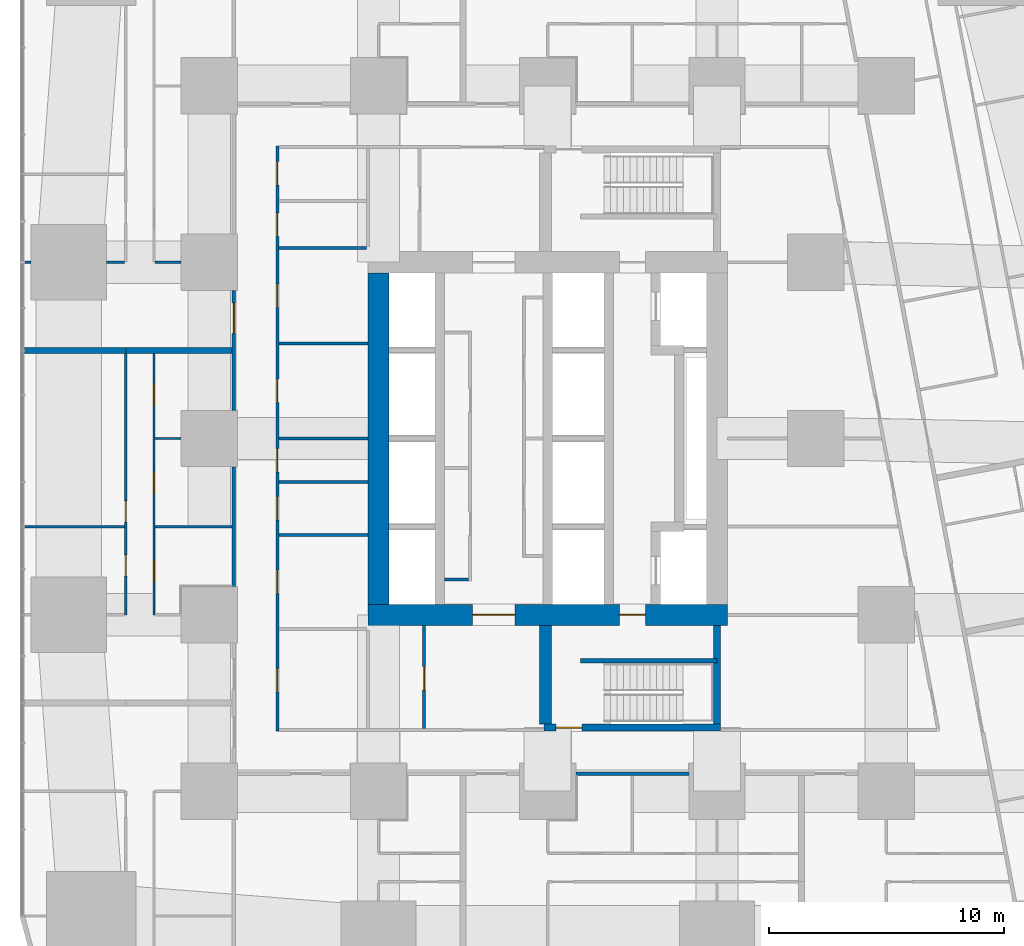
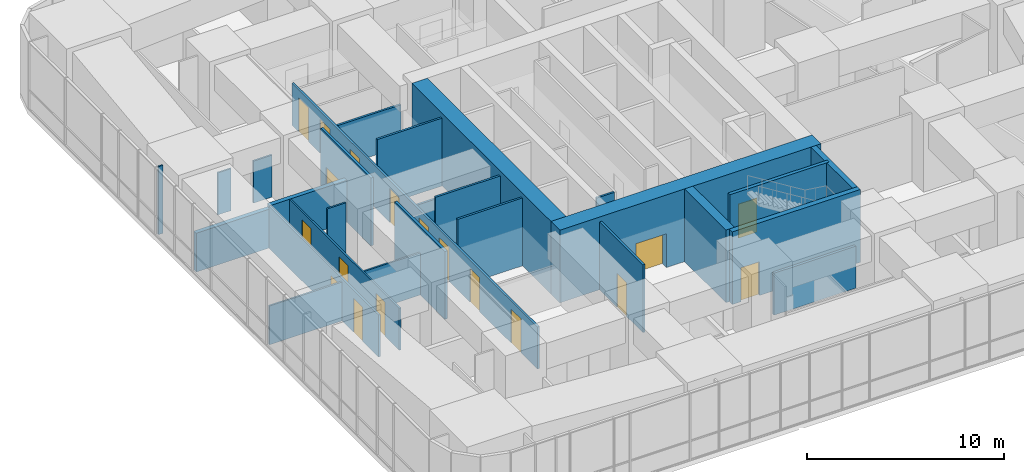
# One storey, part 15 of 22: 27 walls, 18 doors, 18 openings.
"""IFC4 building model written with IfcOpenShell, lengths in metres."""

from ifc_helpers import new_model, si_unit, direction, frame, frame_2d, origin, place, context, subcontext, project, spatial, rectangle, extrude, material, layer, layer_set, type_object, element, fill, save


model = new_model("IFC4")

# Units and contexts
model_context = context("Model", 3, precision=1e-05, world=origin(), true_north=direction((0.0, 1.0)))
body_context = subcontext(model_context, "Body", "Model", "MODEL_VIEW")
ifc_project = project(units=[si_unit("LENGTHUNIT", "METRE"), si_unit("AREAUNIT", "SQUARE_METRE"), si_unit("VOLUMEUNIT", "CUBIC_METRE"), si_unit("PLANEANGLEUNIT", "RADIAN"), si_unit("MASSUNIT", "GRAM", prefix="KILO")], contexts=[model_context])

# Site, building, storey
site_placement = place(None, origin())
site = spatial("IfcSite", under=ifc_project, at=site_placement, CompositionType="ELEMENT")
building_placement = place(site_placement, origin())
building = spatial("IfcBuilding", under=site, at=building_placement, Name="Sheger Commons Tower", CompositionType="ELEMENT")
storey_placement = place(building_placement, frame((0.0, 0.0, 10.10009765625)))
storey = spatial("IfcBuildingStorey", under=building, at=storey_placement, Name="L02", CompositionType="ELEMENT", Elevation=10.10009765625)

# Wall, openings, doors
ifc_material_1 = material(Name="Concrete C50/60", Category="concrete")
ifc_layer_1 = layer(ifc_material_1, 0.89990234375)
ifc_layer_set_1 = layer_set([ifc_layer_1], Name="CORE WALL 900")
wall_type_1 = type_object("IfcWallType", Name="CORE WALL 900", PredefinedType="SHEAR", material=ifc_layer_set_1)
wall_1_placement = place(storey_placement, frame((13.949951171875, 15.0, 0.0), z_axis=(0.0, 0.0, 1.0), x_axis=(1.0, 0.0, 0.0)))
wall_1 = element("IfcWall", 1, at=wall_1_placement, inside=storey, type_object=wall_type_1, Name="Core wall south L02", PredefinedType="SHEAR", context=body_context, shape_type="SweptSolid", body=[
    extrude(rectangle(XDim=15.300048828125, YDim=0.89990234375, at=frame_2d((7.64990234375, 0.0))), origin(), (0.0, 0.0, 1.0), 4.5),
])
opening_1_placement = place(wall_1_placement, frame((4.449951171875, 0.0, 0.0)))
opening_1 = element("IfcOpeningElement", 2, at=opening_1_placement, cuts=wall_1, Name="Opening D6", PredefinedType="OPENING", context=body_context, shape_type="SweptSolid", body=[
    extrude(rectangle(XDim=1.800048828125, YDim=2.10009765625, at=frame_2d((0.89990234375, 1.050048828125))), frame((0.0, 0.4599609375, 0.0), z_axis=(0.0, -1.0, 0.0), x_axis=(1.0, 0.0, 0.0)), (0.0, 0.0, 1.0), 0.919921875),
])
opening_2_placement = place(wall_1_placement, frame((10.699951171875, 0.0, 0.0)))
opening_2 = element("IfcOpeningElement", 3, at=opening_2_placement, cuts=wall_1, Name="Opening D5", PredefinedType="OPENING", context=body_context, shape_type="SweptSolid", body=[
    extrude(rectangle(XDim=1.10009765625, YDim=2.10009765625, at=frame_2d((0.550048828125, 1.050048828125))), frame((0.0, 0.4599609375, 0.0), z_axis=(0.0, -1.0, 0.0), x_axis=(1.0, 0.0, 0.0)), (0.0, 0.0, 1.0), 0.919921875),
])
ifc_material_2 = material(Name="Steel door set, fire rated", Category="steel")
door_type_1 = type_object("IfcDoorType", Name="LOBBY DOUBLE DOOR 1800x2100", OperationType="DOUBLE_DOOR_SINGLE_SWING", PredefinedType="DOOR", material=ifc_material_2)
door_1_placement = place(opening_1_placement, origin())
door_1 = element("IfcDoor", 4, at=door_1_placement, inside=storey, type_object=door_type_1, Name="Lift lobby door", OperationType="DOUBLE_DOOR_SINGLE_SWING", OverallHeight=2.10009765625, OverallWidth=1.800048828125, PredefinedType="DOOR", context=body_context, shape_type="SweptSolid", body=[
    extrude(rectangle(XDim=1.800048828125, YDim=2.10009765625, at=frame_2d((0.89990234375, 1.050048828125))), frame((0.0, 0.02490234375, 0.0), z_axis=(0.0, -1.0, 0.0), x_axis=(1.0, 0.0, 0.0)), (0.0, 0.0, 1.0), 0.050048828125),
])
fill(opening_1, door_1)
ifc_material_3 = material(Name="Steel door set, fire rated", Category="steel")
door_type_2 = type_object("IfcDoorType", Name="STAIR DOOR 1100x2100", OperationType="NOTDEFINED", PredefinedType="DOOR", material=ifc_material_3)
door_2_placement = place(opening_2_placement, origin())
door_2 = element("IfcDoor", 5, at=door_2_placement, inside=storey, type_object=door_type_2, Name="Fire-fighting lobby door", OperationType="SINGLE_SWING_RIGHT", OverallHeight=2.10009765625, OverallWidth=1.10009765625, PredefinedType="DOOR", context=body_context, shape_type="SweptSolid", body=[
    extrude(rectangle(XDim=1.10009765625, YDim=2.10009765625, at=frame_2d((0.550048828125, 1.050048828125))), frame((0.0, 0.02490234375, 0.0), z_axis=(0.0, -1.0, 0.0), x_axis=(1.0, 0.0, 0.0)), (0.0, 0.0, 1.0), 0.050048828125),
])
fill(opening_2, door_2)

# Walls
wall_2_placement = place(storey_placement, frame((14.39990234375, 15.449951171875, 0.0), z_axis=(0.0, 0.0, 1.0), x_axis=(0.0, 1.0, 0.0)))
element("IfcWall", 6, at=wall_2_placement, inside=storey, type_object=wall_type_1, Name="Core wall west L02", PredefinedType="SHEAR", context=body_context, shape_type="SweptSolid", body=[
    extrude(rectangle(XDim=14.10009765625, YDim=0.89990234375, at=frame_2d((7.050048828125, 0.0))), origin(), (0.0, 0.0, 1.0), 4.5),
])
ifc_material_4 = material(Name="Hollow concrete block masonry, skimmed both sides", Category="masonry")
ifc_layer_2 = layer(ifc_material_4, 0.14990234375)
ifc_layer_set_2 = layer_set([ifc_layer_2], Name="CORRIDOR WALL 150")
wall_type_2 = type_object("IfcWallType", Name="CORRIDOR WALL 150", PredefinedType="SOLIDWALL", material=ifc_layer_set_2)
wall_3_placement = place(storey_placement, frame((8.25, 16.200927734375, 0.0), z_axis=(0.0, 0.0, 1.0), x_axis=(0.0, 1.0, 0.0)))
element("IfcWall", 7, at=wall_3_placement, inside=storey, type_object=wall_type_2, Name="Corridor wall L02", PredefinedType="SOLIDWALL", context=body_context, shape_type="SweptSolid", body=[
    extrude(rectangle(XDim=5.09814453125, YDim=0.14990234375, at=frame_2d((2.549072265625, 0.0))), origin(), (0.0, 0.0, 1.0), 4.199951171875),
])

# Wall, opening, door
wall_4_placement = place(storey_placement, frame((8.25, 23.700927734375, 0.0), z_axis=(0.0, 0.0, 1.0), x_axis=(0.0, 1.0, 0.0)))
wall_4 = element("IfcWall", 8, at=wall_4_placement, inside=storey, type_object=wall_type_2, Name="Corridor wall L02", PredefinedType="SOLIDWALL", context=body_context, shape_type="SweptSolid", body=[
    extrude(rectangle(XDim=5.09814453125, YDim=0.14990234375, at=frame_2d((2.549072265625, 0.0))), origin(), (0.0, 0.0, 1.0), 4.199951171875),
])
opening_3_placement = place(wall_4_placement, frame((3.26611328125, 0.0, 0.0)))
opening_3 = element("IfcOpeningElement", 9, at=opening_3_placement, cuts=wall_4, Name="Opening D9", PredefinedType="OPENING", context=body_context, shape_type="SweptSolid", body=[
    extrude(rectangle(XDim=1.300048828125, YDim=2.10009765625, at=frame_2d((0.64990234375, 1.050048828125))), frame((0.0, 0.0849609375, 0.0), z_axis=(0.0, -1.0, 0.0), x_axis=(1.0, 0.0, 0.0)), (0.0, 0.0, 1.0), 0.169921875),
])
ifc_material_5 = material(Name="Steel door set, fire rated", Category="steel")
door_type_3 = type_object("IfcDoorType", Name="CLINIC SUITE DOOR 1300x2100", OperationType="DOUBLE_DOOR_SINGLE_SWING", PredefinedType="DOOR", material=ifc_material_5)
door_3_placement = place(opening_3_placement, origin())
door_3 = element("IfcDoor", 10, at=door_3_placement, inside=storey, type_object=door_type_3, Name="Suite door", OperationType="DOUBLE_DOOR_SINGLE_SWING", OverallHeight=2.10009765625, OverallWidth=1.300048828125, PredefinedType="DOOR", context=body_context, shape_type="SweptSolid", body=[
    extrude(rectangle(XDim=1.300048828125, YDim=2.10009765625, at=frame_2d((0.64990234375, 1.050048828125))), frame((0.0, 0.02490234375, 0.0), z_axis=(0.0, -1.0, 0.0), x_axis=(1.0, 0.0, 0.0)), (0.0, 0.0, 1.0), 0.050048828125),
])
fill(opening_3, door_3)

# Walls
wall_5_placement = place(storey_placement, frame((27.59912109375, 8.25, 0.0), z_axis=(0.0, 0.0, 1.0), x_axis=(-1.0, 0.0, 0.0)))
element("IfcWall", 11, at=wall_5_placement, inside=storey, type_object=wall_type_2, Name="Corridor wall L02", PredefinedType="SOLIDWALL", context=body_context, shape_type="SweptSolid", body=[
    extrude(rectangle(XDim=4.798095703125, YDim=0.14990234375, at=frame_2d((2.39892578125, 0.0))), origin(), (0.0, 0.0, 1.0), 2.599853515625),
])
ifc_material_6 = material(Name="Dense concrete block masonry, plastered both sides (separating wall between flats)", Category="masonry")
ifc_layer_3 = layer(ifc_material_6, 0.25)
ifc_layer_set_3 = layer_set([ifc_layer_3], Name="DEMISING WALL 250")
wall_type_3 = type_object("IfcWallType", Name="DEMISING WALL 250", PredefinedType="SOLIDWALL", material=ifc_layer_set_3)
wall_6_placement = place(storey_placement, frame((-0.64990234375, 26.25, 0.0), z_axis=(0.0, 0.0, 1.0), x_axis=(1.0, 0.0, 0.0)))
element("IfcWall", 12, at=wall_6_placement, inside=storey, type_object=wall_type_3, Name="Demising wall L02", PredefinedType="SOLIDWALL", context=body_context, shape_type="SweptSolid", body=[
    extrude(rectangle(XDim=4.2998046875, YDim=0.25, at=frame_2d((2.14990234375, 0.0))), origin(), (0.0, 0.0, 1.0), 2.39990234375),
])
wall_7_placement = place(storey_placement, frame((3.64990234375, 26.25, 0.0), z_axis=(0.0, 0.0, 1.0), x_axis=(1.0, 0.0, 0.0)))
element("IfcWall", 13, at=wall_7_placement, inside=storey, type_object=wall_type_3, Name="Demising wall L02", PredefinedType="SOLIDWALL", context=body_context, shape_type="SweptSolid", body=[
    extrude(rectangle(XDim=4.525146484375, YDim=0.25, at=frame_2d((2.2626953125, 0.0))), origin(), (0.0, 0.0, 1.0), 2.599853515625),
])

# Wall, openings, doors
ifc_material_7 = material(Name="Gypsum board on steel studs", Category="steel")
ifc_layer_4 = layer(ifc_material_7, 0.10009765625)
ifc_layer_set_4 = layer_set([ifc_layer_4], Name="PARTITION 100")
wall_type_4 = type_object("IfcWallType", Name="PARTITION 100", PredefinedType="PARTITIONING", material=ifc_layer_set_4)
wall_8_placement = place(storey_placement, frame((3.64990234375, 15.0, 0.0), z_axis=(0.0, 0.0, 1.0), x_axis=(0.0, 1.0, 0.0)))
wall_8 = element("IfcWall", 14, at=wall_8_placement, inside=storey, type_object=wall_type_4, Name="Partition L02", PredefinedType="PARTITIONING", context=body_context, shape_type="SweptSolid", body=[
    extrude(rectangle(XDim=11.125, YDim=0.10009765625, at=frame_2d((5.5625, 0.0))), origin(), (0.0, 0.0, 1.0), 2.599853515625),
])
opening_4_placement = place(wall_8_placement, frame((1.64990234375, 0.0, 0.0)))
opening_4 = element("IfcOpeningElement", 15, at=opening_4_placement, cuts=wall_8, Name="Opening D2", PredefinedType="OPENING", context=body_context, shape_type="SweptSolid", body=[
    extrude(rectangle(XDim=0.89990234375, YDim=2.10009765625, at=frame_2d((0.449951171875, 1.050048828125))), frame((0.0, 0.06005859375, 0.0), z_axis=(0.0, -1.0, 0.0), x_axis=(1.0, 0.0, 0.0)), (0.0, 0.0, 1.0), 0.1201171875),
])
opening_5_placement = place(wall_8_placement, frame((3.949951171875, 0.0, 0.0)))
opening_5 = element("IfcOpeningElement", 16, at=opening_5_placement, cuts=wall_8, Name="Opening D2", PredefinedType="OPENING", context=body_context, shape_type="SweptSolid", body=[
    extrude(rectangle(XDim=0.89990234375, YDim=2.10009765625, at=frame_2d((0.449951171875, 1.050048828125))), frame((0.0, 0.06005859375, 0.0), z_axis=(0.0, -1.0, 0.0), x_axis=(1.0, 0.0, 0.0)), (0.0, 0.0, 1.0), 0.1201171875),
])
ifc_material_8 = material(Name="Timber door set", Category="wood")
door_type_4 = type_object("IfcDoorType", Name="INTERNAL DOOR 900x2100", OperationType="NOTDEFINED", PredefinedType="DOOR", material=ifc_material_8)
door_4_placement = place(opening_4_placement, origin())
door_4 = element("IfcDoor", 17, at=door_4_placement, inside=storey, type_object=door_type_4, Name="Dental surgery door", OperationType="SINGLE_SWING_RIGHT", OverallHeight=2.10009765625, OverallWidth=0.89990234375, PredefinedType="DOOR", context=body_context, shape_type="SweptSolid", body=[
    extrude(rectangle(XDim=0.89990234375, YDim=2.10009765625, at=frame_2d((0.449951171875, 1.050048828125))), frame((0.0, 0.02490234375, 0.0), z_axis=(0.0, -1.0, 0.0), x_axis=(1.0, 0.0, 0.0)), (0.0, 0.0, 1.0), 0.050048828125),
])
fill(opening_4, door_4)
door_5_placement = place(opening_5_placement, origin())
door_5 = element("IfcDoor", 18, at=door_5_placement, inside=storey, type_object=door_type_4, Name="Laboratory door", OperationType="SINGLE_SWING_LEFT", OverallHeight=2.10009765625, OverallWidth=0.89990234375, PredefinedType="DOOR", context=body_context, shape_type="SweptSolid", body=[
    extrude(rectangle(XDim=0.89990234375, YDim=2.10009765625, at=frame_2d((0.449951171875, 1.050048828125))), frame((0.0, 0.02490234375, 0.0), z_axis=(0.0, -1.0, 0.0), x_axis=(1.0, 0.0, 0.0)), (0.0, 0.0, 1.0), 0.050048828125),
])
fill(opening_5, door_5)

wall_9_placement = place(storey_placement, frame((4.85009765625, 15.0, 0.0), z_axis=(0.0, 0.0, 1.0), x_axis=(0.0, 1.0, 0.0)))
wall_9 = element("IfcWall", 19, at=wall_9_placement, inside=storey, type_object=wall_type_4, Name="Partition L02", PredefinedType="PARTITIONING", context=body_context, shape_type="SweptSolid", body=[
    extrude(rectangle(XDim=11.125, YDim=0.10009765625, at=frame_2d((5.5625, 0.0))), origin(), (0.0, 0.0, 1.0), 2.599853515625),
])
opening_6_placement = place(wall_9_placement, frame((1.425048828125, 0.0, 0.0)))
opening_6 = element("IfcOpeningElement", 20, at=opening_6_placement, cuts=wall_9, Name="Opening D2", PredefinedType="OPENING", context=body_context, shape_type="SweptSolid", body=[
    extrude(rectangle(XDim=0.89990234375, YDim=2.10009765625, at=frame_2d((0.449951171875, 1.050048828125))), frame((0.0, 0.06005859375, 0.0), z_axis=(0.0, -1.0, 0.0), x_axis=(1.0, 0.0, 0.0)), (0.0, 0.0, 1.0), 0.1201171875),
])
opening_7_placement = place(wall_9_placement, frame((5.175048828125, 0.0, 0.0)))
opening_7 = element("IfcOpeningElement", 21, at=opening_7_placement, cuts=wall_9, Name="Opening D2", PredefinedType="OPENING", context=body_context, shape_type="SweptSolid", body=[
    extrude(rectangle(XDim=0.89990234375, YDim=2.10009765625, at=frame_2d((0.449951171875, 1.050048828125))), frame((0.0, 0.06005859375, 0.0), z_axis=(0.0, -1.0, 0.0), x_axis=(1.0, 0.0, 0.0)), (0.0, 0.0, 1.0), 0.1201171875),
])
opening_8_placement = place(wall_9_placement, frame((8.925048828125, 0.0, 0.0)))
opening_8 = element("IfcOpeningElement", 22, at=opening_8_placement, cuts=wall_9, Name="Opening D2", PredefinedType="OPENING", context=body_context, shape_type="SweptSolid", body=[
    extrude(rectangle(XDim=0.89990234375, YDim=2.10009765625, at=frame_2d((0.449951171875, 1.050048828125))), frame((0.0, 0.06005859375, 0.0), z_axis=(0.0, -1.0, 0.0), x_axis=(1.0, 0.0, 0.0)), (0.0, 0.0, 1.0), 0.1201171875),
])
door_6_placement = place(opening_6_placement, origin())
door_6 = element("IfcDoor", 23, at=door_6_placement, inside=storey, type_object=door_type_4, Name="Patient WC door", OperationType="SINGLE_SWING_RIGHT", OverallHeight=2.10009765625, OverallWidth=0.89990234375, PredefinedType="DOOR", context=body_context, shape_type="SweptSolid", body=[
    extrude(rectangle(XDim=0.89990234375, YDim=2.10009765625, at=frame_2d((0.449951171875, 1.050048828125))), frame((0.0, 0.02490234375, 0.0), z_axis=(0.0, -1.0, 0.0), x_axis=(1.0, 0.0, 0.0)), (0.0, 0.0, 1.0), 0.050048828125),
])
fill(opening_6, door_6)
door_7_placement = place(opening_7_placement, origin())
door_7 = element("IfcDoor", 24, at=door_7_placement, inside=storey, type_object=door_type_4, Name="Treatment room door", OperationType="SINGLE_SWING_RIGHT", OverallHeight=2.10009765625, OverallWidth=0.89990234375, PredefinedType="DOOR", context=body_context, shape_type="SweptSolid", body=[
    extrude(rectangle(XDim=0.89990234375, YDim=2.10009765625, at=frame_2d((0.449951171875, 1.050048828125))), frame((0.0, 0.02490234375, 0.0), z_axis=(0.0, -1.0, 0.0), x_axis=(1.0, 0.0, 0.0)), (0.0, 0.0, 1.0), 0.050048828125),
])
fill(opening_7, door_7)
door_8_placement = place(opening_8_placement, origin())
door_8 = element("IfcDoor", 25, at=door_8_placement, inside=storey, type_object=door_type_4, Name="Treatment room door", OperationType="SINGLE_SWING_LEFT", OverallHeight=2.10009765625, OverallWidth=0.89990234375, PredefinedType="DOOR", context=body_context, shape_type="SweptSolid", body=[
    extrude(rectangle(XDim=0.89990234375, YDim=2.10009765625, at=frame_2d((0.449951171875, 1.050048828125))), frame((0.0, 0.02490234375, 0.0), z_axis=(0.0, -1.0, 0.0), x_axis=(1.0, 0.0, 0.0)), (0.0, 0.0, 1.0), 0.050048828125),
])
fill(opening_8, door_8)

# Walls
wall_10_placement = place(storey_placement, frame((-0.64990234375, 18.75, 0.0), z_axis=(0.0, 0.0, 1.0), x_axis=(1.0, 0.0, 0.0)))
element("IfcWall", 26, at=wall_10_placement, inside=storey, type_object=wall_type_4, Name="Partition L02", PredefinedType="PARTITIONING", context=body_context, shape_type="SweptSolid", body=[
    extrude(rectangle(XDim=4.25, YDim=0.10009765625, at=frame_2d((2.125, 0.0))), origin(), (0.0, 0.0, 1.0), 2.39990234375),
])
wall_11_placement = place(storey_placement, frame((4.89990234375, 18.75, 0.0), z_axis=(0.0, 0.0, 1.0), x_axis=(1.0, 0.0, 0.0)))
element("IfcWall", 27, at=wall_11_placement, inside=storey, type_object=wall_type_4, Name="Partition L02", PredefinedType="PARTITIONING", context=body_context, shape_type="SweptSolid", body=[
    extrude(rectangle(XDim=3.275146484375, YDim=0.10009765625, at=frame_2d((1.6376953125, 0.0))), origin(), (0.0, 0.0, 1.0), 2.599853515625),
])
wall_12_placement = place(storey_placement, frame((4.89990234375, 22.5, 0.0), z_axis=(0.0, 0.0, 1.0), x_axis=(1.0, 0.0, 0.0)))
element("IfcWall", 28, at=wall_12_placement, inside=storey, type_object=wall_type_4, Name="Partition L02", PredefinedType="PARTITIONING", context=body_context, shape_type="SweptSolid", body=[
    extrude(rectangle(XDim=1.09912109375, YDim=0.10009765625, at=frame_2d((0.549560546875, 0.0))), origin(), (0.0, 0.0, 1.0), 4.199951171875),
])
wall_13_placement = place(storey_placement, frame((-0.64990234375, 30.0, 0.0), z_axis=(0.0, 0.0, 1.0), x_axis=(1.0, 0.0, 0.0)))
element("IfcWall", 29, at=wall_13_placement, inside=storey, type_object=wall_type_4, Name="Partition L02", PredefinedType="PARTITIONING", context=body_context, shape_type="SweptSolid", body=[
    extrude(rectangle(XDim=0.27392578125, YDim=0.10009765625, at=frame_2d((0.136962890625, 0.0))), origin(), (0.0, 0.0, 1.0), 4.199951171875),
])
wall_14_placement = place(storey_placement, frame((2.825927734375, 30.0, 0.0), z_axis=(0.0, 0.0, 1.0), x_axis=(1.0, 0.0, 0.0)))
element("IfcWall", 30, at=wall_14_placement, inside=storey, type_object=wall_type_4, Name="Partition L02", PredefinedType="PARTITIONING", context=body_context, shape_type="SweptSolid", body=[
    extrude(rectangle(XDim=0.774169921875, YDim=0.10009765625, at=frame_2d((0.38720703125, 0.0))), origin(), (0.0, 0.0, 1.0), 2.599853515625),
])
wall_15_placement = place(storey_placement, frame((4.89990234375, 30.0, 0.0), z_axis=(0.0, 0.0, 1.0), x_axis=(1.0, 0.0, 0.0)))
element("IfcWall", 31, at=wall_15_placement, inside=storey, type_object=wall_type_4, Name="Partition L02", PredefinedType="PARTITIONING", context=body_context, shape_type="SweptSolid", body=[
    extrude(rectangle(XDim=1.09912109375, YDim=0.10009765625, at=frame_2d((0.549560546875, 0.0))), origin(), (0.0, 0.0, 1.0), 2.599853515625),
])

# Wall, openings, doors
ifc_material_9 = material(Name="Gypsum board on steel studs, two layers each side, fire rated", Category="steel")
ifc_layer_5 = layer(ifc_material_9, 0.125)
ifc_layer_set_5 = layer_set([ifc_layer_5], Name="SERVICE WALL 125")
wall_type_5 = type_object("IfcWallType", Name="SERVICE WALL 125", PredefinedType="PARTITIONING", material=ifc_layer_set_5)
wall_16_placement = place(storey_placement, frame((10.10009765625, 10.050048828125, 0.0), z_axis=(0.0, 0.0, 1.0), x_axis=(0.0, 1.0, 0.0)))
wall_16 = element("IfcWall", 32, at=wall_16_placement, inside=storey, type_object=wall_type_5, Name="Service room wall L02", PredefinedType="PARTITIONING", context=body_context, shape_type="SweptSolid", body=[
    extrude(rectangle(XDim=24.89990234375, YDim=0.125, at=frame_2d((12.449951171875, 0.0))), origin(), (0.0, 0.0, 1.0), 2.599853515625),
])
opening_9_placement = place(wall_16_placement, frame((1.675048828125, 0.0, 0.0)))
opening_9 = element("IfcOpeningElement", 33, at=opening_9_placement, cuts=wall_16, Name="Opening D4", PredefinedType="OPENING", context=body_context, shape_type="SweptSolid", body=[
    extrude(rectangle(XDim=1.0, YDim=2.10009765625, at=frame_2d((0.5, 1.050048828125))), frame((0.0, 0.072509765625, 0.0), z_axis=(0.0, -1.0, 0.0), x_axis=(1.0, 0.0, 0.0)), (0.0, 0.0, 1.0), 0.14501953125),
])
opening_10_placement = place(wall_16_placement, frame((5.85009765625, 0.0, 0.0)))
opening_10 = element("IfcOpeningElement", 34, at=opening_10_placement, cuts=wall_16, Name="Opening D4", PredefinedType="OPENING", context=body_context, shape_type="SweptSolid", body=[
    extrude(rectangle(XDim=1.0, YDim=2.10009765625, at=frame_2d((0.5, 1.050048828125))), frame((0.0, 0.072509765625, 0.0), z_axis=(0.0, -1.0, 0.0), x_axis=(1.0, 0.0, 0.0)), (0.0, 0.0, 1.0), 0.14501953125),
])
opening_11_placement = place(wall_16_placement, frame((8.97509765625, 0.0, 0.0)))
opening_11 = element("IfcOpeningElement", 35, at=opening_11_placement, cuts=wall_16, Name="Opening D4", PredefinedType="OPENING", context=body_context, shape_type="SweptSolid", body=[
    extrude(rectangle(XDim=1.0, YDim=2.10009765625, at=frame_2d((0.5, 1.050048828125))), frame((0.0, 0.072509765625, 0.0), z_axis=(0.0, -1.0, 0.0), x_axis=(1.0, 0.0, 0.0)), (0.0, 0.0, 1.0), 0.14501953125),
])
opening_12_placement = place(wall_16_placement, frame((11.02490234375, 0.0, 0.0)))
opening_12 = element("IfcOpeningElement", 36, at=opening_12_placement, cuts=wall_16, Name="Opening D4", PredefinedType="OPENING", context=body_context, shape_type="SweptSolid", body=[
    extrude(rectangle(XDim=1.0, YDim=2.10009765625, at=frame_2d((0.5, 1.050048828125))), frame((0.0, 0.072509765625, 0.0), z_axis=(0.0, -1.0, 0.0), x_axis=(1.0, 0.0, 0.0)), (0.0, 0.0, 1.0), 0.14501953125),
])
opening_13_placement = place(wall_16_placement, frame((13.97509765625, 0.0, 0.0)))
opening_13 = element("IfcOpeningElement", 37, at=opening_13_placement, cuts=wall_16, Name="Opening D4", PredefinedType="OPENING", context=body_context, shape_type="SweptSolid", body=[
    extrude(rectangle(XDim=1.0, YDim=2.10009765625, at=frame_2d((0.5, 1.050048828125))), frame((0.0, 0.072509765625, 0.0), z_axis=(0.0, -1.0, 0.0), x_axis=(1.0, 0.0, 0.0)), (0.0, 0.0, 1.0), 0.14501953125),
])
opening_14_placement = place(wall_16_placement, frame((18.02490234375, 0.0, 0.0)))
opening_14 = element("IfcOpeningElement", 38, at=opening_14_placement, cuts=wall_16, Name="Opening D4", PredefinedType="OPENING", context=body_context, shape_type="SweptSolid", body=[
    extrude(rectangle(XDim=1.0, YDim=2.10009765625, at=frame_2d((0.5, 1.050048828125))), frame((0.0, 0.072509765625, 0.0), z_axis=(0.0, -1.0, 0.0), x_axis=(1.0, 0.0, 0.0)), (0.0, 0.0, 1.0), 0.14501953125),
])
opening_15_placement = place(wall_16_placement, frame((21.050048828125, 0.0, 0.0)))
opening_15 = element("IfcOpeningElement", 39, at=opening_15_placement, cuts=wall_16, Name="Opening D4", PredefinedType="OPENING", context=body_context, shape_type="SweptSolid", body=[
    extrude(rectangle(XDim=1.0, YDim=2.10009765625, at=frame_2d((0.5, 1.050048828125))), frame((0.0, 0.072509765625, 0.0), z_axis=(0.0, -1.0, 0.0), x_axis=(1.0, 0.0, 0.0)), (0.0, 0.0, 1.0), 0.14501953125),
])
opening_16_placement = place(wall_16_placement, frame((23.22509765625, 0.0, 0.0)))
opening_16 = element("IfcOpeningElement", 40, at=opening_16_placement, cuts=wall_16, Name="Opening D4", PredefinedType="OPENING", context=body_context, shape_type="SweptSolid", body=[
    extrude(rectangle(XDim=1.0, YDim=2.10009765625, at=frame_2d((0.5, 1.050048828125))), frame((0.0, 0.072509765625, 0.0), z_axis=(0.0, -1.0, 0.0), x_axis=(1.0, 0.0, 0.0)), (0.0, 0.0, 1.0), 0.14501953125),
])
ifc_material_10 = material(Name="Steel door set, fire rated", Category="steel")
door_type_5 = type_object("IfcDoorType", Name="SERVICE DOOR 1000x2100", OperationType="NOTDEFINED", PredefinedType="DOOR", material=ifc_material_10)
door_9_placement = place(opening_9_placement, origin())
door_9 = element("IfcDoor", 41, at=door_9_placement, inside=storey, type_object=door_type_5, Name="Female WC door", OperationType="SINGLE_SWING_RIGHT", OverallHeight=2.10009765625, OverallWidth=1.0, PredefinedType="DOOR", context=body_context, shape_type="SweptSolid", body=[
    extrude(rectangle(XDim=1.0, YDim=2.10009765625, at=frame_2d((0.5, 1.050048828125))), frame((0.0, 0.02490234375, 0.0), z_axis=(0.0, -1.0, 0.0), x_axis=(1.0, 0.0, 0.0)), (0.0, 0.0, 1.0), 0.050048828125),
])
fill(opening_9, door_9)
door_10_placement = place(opening_10_placement, origin())
door_10 = element("IfcDoor", 42, at=door_10_placement, inside=storey, type_object=door_type_5, Name="Male WC door", OperationType="SINGLE_SWING_RIGHT", OverallHeight=2.10009765625, OverallWidth=1.0, PredefinedType="DOOR", context=body_context, shape_type="SweptSolid", body=[
    extrude(rectangle(XDim=1.0, YDim=2.10009765625, at=frame_2d((0.5, 1.050048828125))), frame((0.0, 0.02490234375, 0.0), z_axis=(0.0, -1.0, 0.0), x_axis=(1.0, 0.0, 0.0)), (0.0, 0.0, 1.0), 0.050048828125),
])
fill(opening_10, door_10)
door_11_placement = place(opening_11_placement, origin())
door_11 = element("IfcDoor", 43, at=door_11_placement, inside=storey, type_object=door_type_5, Name="Accessible WC door", OperationType="SINGLE_SWING_RIGHT", OverallHeight=2.10009765625, OverallWidth=1.0, PredefinedType="DOOR", context=body_context, shape_type="SweptSolid", body=[
    extrude(rectangle(XDim=1.0, YDim=2.10009765625, at=frame_2d((0.5, 1.050048828125))), frame((0.0, 0.02490234375, 0.0), z_axis=(0.0, -1.0, 0.0), x_axis=(1.0, 0.0, 0.0)), (0.0, 0.0, 1.0), 0.050048828125),
])
fill(opening_11, door_11)
door_12_placement = place(opening_12_placement, origin())
door_12 = element("IfcDoor", 44, at=door_12_placement, inside=storey, type_object=door_type_5, Name="Baby change room door", OperationType="SINGLE_SWING_RIGHT", OverallHeight=2.10009765625, OverallWidth=1.0, PredefinedType="DOOR", context=body_context, shape_type="SweptSolid", body=[
    extrude(rectangle(XDim=1.0, YDim=2.10009765625, at=frame_2d((0.5, 1.050048828125))), frame((0.0, 0.02490234375, 0.0), z_axis=(0.0, -1.0, 0.0), x_axis=(1.0, 0.0, 0.0)), (0.0, 0.0, 1.0), 0.050048828125),
])
fill(opening_12, door_12)
door_13_placement = place(opening_13_placement, origin())
door_13 = element("IfcDoor", 45, at=door_13_placement, inside=storey, type_object=door_type_5, Name="Staff changing room door", OperationType="SINGLE_SWING_RIGHT", OverallHeight=2.10009765625, OverallWidth=1.0, PredefinedType="DOOR", context=body_context, shape_type="SweptSolid", body=[
    extrude(rectangle(XDim=1.0, YDim=2.10009765625, at=frame_2d((0.5, 1.050048828125))), frame((0.0, 0.02490234375, 0.0), z_axis=(0.0, -1.0, 0.0), x_axis=(1.0, 0.0, 0.0)), (0.0, 0.0, 1.0), 0.050048828125),
])
fill(opening_13, door_13)
door_14_placement = place(opening_14_placement, origin())
door_14 = element("IfcDoor", 46, at=door_14_placement, inside=storey, type_object=door_type_5, Name="Staff WC door", OperationType="SINGLE_SWING_LEFT", OverallHeight=2.10009765625, OverallWidth=1.0, PredefinedType="DOOR", context=body_context, shape_type="SweptSolid", body=[
    extrude(rectangle(XDim=1.0, YDim=2.10009765625, at=frame_2d((0.5, 1.050048828125))), frame((0.0, 0.02490234375, 0.0), z_axis=(0.0, -1.0, 0.0), x_axis=(1.0, 0.0, 0.0)), (0.0, 0.0, 1.0), 0.050048828125),
])
fill(opening_14, door_14)
door_15_placement = place(opening_15_placement, origin())
door_15 = element("IfcDoor", 47, at=door_15_placement, inside=storey, type_object=door_type_5, Name="Cleaner's store door", OperationType="SINGLE_SWING_RIGHT", OverallHeight=2.10009765625, OverallWidth=1.0, PredefinedType="DOOR", context=body_context, shape_type="SweptSolid", body=[
    extrude(rectangle(XDim=1.0, YDim=2.10009765625, at=frame_2d((0.5, 1.050048828125))), frame((0.0, 0.02490234375, 0.0), z_axis=(0.0, -1.0, 0.0), x_axis=(1.0, 0.0, 0.0)), (0.0, 0.0, 1.0), 0.050048828125),
])
fill(opening_15, door_15)
door_16_placement = place(opening_16_placement, origin())
door_16 = element("IfcDoor", 48, at=door_16_placement, inside=storey, type_object=door_type_5, Name="Clinical waste store door", OperationType="SINGLE_SWING_LEFT", OverallHeight=2.10009765625, OverallWidth=1.0, PredefinedType="DOOR", context=body_context, shape_type="SweptSolid", body=[
    extrude(rectangle(XDim=1.0, YDim=2.10009765625, at=frame_2d((0.5, 1.050048828125))), frame((0.0, 0.02490234375, 0.0), z_axis=(0.0, -1.0, 0.0), x_axis=(1.0, 0.0, 0.0)), (0.0, 0.0, 1.0), 0.050048828125),
])
fill(opening_16, door_16)

# Walls
wall_17_placement = place(storey_placement, frame((10.1630859375, 22.5, 0.0), z_axis=(0.0, 0.0, 1.0), x_axis=(1.0, 0.0, 0.0)))
element("IfcWall", 49, at=wall_17_placement, inside=storey, type_object=wall_type_5, Name="Service room wall L02", PredefinedType="PARTITIONING", context=body_context, shape_type="SweptSolid", body=[
    extrude(rectangle(XDim=3.786865234375, YDim=0.125, at=frame_2d((1.8935546875, 0.0))), origin(), (0.0, 0.0, 1.0), 2.599853515625),
])
wall_18_placement = place(storey_placement, frame((10.1630859375, 30.60009765625, 0.0), z_axis=(0.0, 0.0, 1.0), x_axis=(1.0, 0.0, 0.0)))
element("IfcWall", 50, at=wall_18_placement, inside=storey, type_object=wall_type_5, Name="Service room wall L02", PredefinedType="PARTITIONING", context=body_context, shape_type="SweptSolid", body=[
    extrude(rectangle(XDim=3.724853515625, YDim=0.125, at=frame_2d((1.8623046875, 0.0))), origin(), (0.0, 0.0, 1.0), 2.599853515625),
])

# Wall, opening, door
wall_19_placement = place(storey_placement, frame((16.340087890625, 10.1630859375, 0.0), z_axis=(0.0, 0.0, 1.0), x_axis=(0.0, 1.0, 0.0)))
wall_19 = element("IfcWall", 51, at=wall_19_placement, inside=storey, type_object=wall_type_5, Name="Service room wall L02", PredefinedType="PARTITIONING", context=body_context, shape_type="SweptSolid", body=[
    extrude(rectangle(XDim=4.386962890625, YDim=0.125, at=frame_2d((2.193359375, 0.0))), origin(), (0.0, 0.0, 1.0), 4.199951171875),
])
opening_17_placement = place(wall_19_placement, frame((1.636962890625, 0.0, 0.0)))
opening_17 = element("IfcOpeningElement", 52, at=opening_17_placement, cuts=wall_19, Name="Opening D4", PredefinedType="OPENING", context=body_context, shape_type="SweptSolid", body=[
    extrude(rectangle(XDim=1.0, YDim=2.10009765625, at=frame_2d((0.5, 1.050048828125))), frame((0.0, 0.072509765625, 0.0), z_axis=(0.0, -1.0, 0.0), x_axis=(1.0, 0.0, 0.0)), (0.0, 0.0, 1.0), 0.14501953125),
])
door_17_placement = place(opening_17_placement, origin())
door_17 = element("IfcDoor", 53, at=door_17_placement, inside=storey, type_object=door_type_5, Name="Electrical room door", OperationType="SINGLE_SWING_LEFT", OverallHeight=2.10009765625, OverallWidth=1.0, PredefinedType="DOOR", context=body_context, shape_type="SweptSolid", body=[
    extrude(rectangle(XDim=1.0, YDim=2.10009765625, at=frame_2d((0.5, 1.050048828125))), frame((0.0, 0.02490234375, 0.0), z_axis=(0.0, -1.0, 0.0), x_axis=(1.0, 0.0, 0.0)), (0.0, 0.0, 1.0), 0.050048828125),
])
fill(opening_17, door_17)

# Walls
for number, where, z_axis, x_axis, name in (
    (54, (10.1630859375, 18.39990234375, 0.0), (0.0, 0.0, 1.0), (1.0, 0.0, 0.0), "Service room wall L02"),
    (55, (10.1630859375, 20.64990234375, 0.0), (0.0, 0.0, 1.0), (1.0, 0.0, 0.0), "Service room wall L02"),
    (56, (10.1630859375, 26.550048828125, 0.0), (0.0, 0.0, 1.0), (1.0, 0.0, 0.0), "Service room wall L02"),
):
    element("IfcWall", number, at=place(storey_placement, frame(where, z_axis=z_axis, x_axis=x_axis)), inside=storey, type_object=wall_type_5, Name=name, PredefinedType="PARTITIONING", context=body_context, shape_type="SweptSolid", body=[
        extrude(rectangle(XDim=3.786865234375, YDim=0.125, at=frame_2d((1.8935546875, 0.0))), origin(), (0.0, 0.0, 1.0), 4.199951171875),
    ])
wall_20_placement = place(storey_placement, frame((17.199951171875, 16.5, 0.0), z_axis=(0.0, 0.0, 1.0), x_axis=(1.0, 0.0, 0.0)))
element("IfcWall", 57, at=wall_20_placement, inside=storey, type_object=wall_type_5, Name="Service room wall L02", PredefinedType="PARTITIONING", context=body_context, shape_type="SweptSolid", body=[
    extrude(rectangle(XDim=1.0380859375, YDim=0.125, at=frame_2d((0.51904296875, 0.0))), origin(), (0.0, 0.0, 1.0), 4.199951171875),
])

# Wall, opening, door
ifc_material_11 = material(Name="Concrete C50/60", Category="concrete")
ifc_layer_6 = layer(ifc_material_11, 0.300048828125)
ifc_layer_set_6 = layer_set([ifc_layer_6], Name="STAIR CORE WALL 300")
wall_type_6 = type_object("IfcWallType", Name="STAIR CORE WALL 300", PredefinedType="SHEAR", material=ifc_layer_set_6)
wall_21_placement = place(storey_placement, frame((21.449951171875, 10.199951171875, 0.0), z_axis=(0.0, 0.0, 1.0), x_axis=(1.0, 0.0, 0.0)))
wall_21 = element("IfcWall", 58, at=wall_21_placement, inside=storey, type_object=wall_type_6, Name="STW-L02-S1S", PredefinedType="SHEAR", context=body_context, shape_type="SweptSolid", body=[
    extrude(rectangle(XDim=7.5, YDim=0.300048828125, at=frame_2d((3.75, 0.0))), origin(), (0.0, 0.0, 1.0), 4.5),
])
opening_18_placement = place(wall_21_placement, frame((0.5, 0.0, 0.0)))
opening_18 = element("IfcOpeningElement", 59, at=opening_18_placement, cuts=wall_21, Name="Opening D5", PredefinedType="OPENING", context=body_context, shape_type="SweptSolid", body=[
    extrude(rectangle(XDim=1.10009765625, YDim=2.10009765625, at=frame_2d((0.550048828125, 1.050048828125))), frame((0.0, 0.159912109375, 0.0), z_axis=(0.0, -1.0, 0.0), x_axis=(1.0, 0.0, 0.0)), (0.0, 0.0, 1.0), 0.320068359375),
])
door_18_placement = place(opening_18_placement, origin())
door_18 = element("IfcDoor", 60, at=door_18_placement, inside=storey, type_object=door_type_2, Name="Stair S1 door", OperationType="SINGLE_SWING_LEFT", OverallHeight=2.10009765625, OverallWidth=1.10009765625, PredefinedType="DOOR", context=body_context, shape_type="SweptSolid", body=[
    extrude(rectangle(XDim=1.10009765625, YDim=2.10009765625, at=frame_2d((0.550048828125, 1.050048828125))), frame((0.0, 0.02490234375, 0.0), z_axis=(0.0, -1.0, 0.0), x_axis=(1.0, 0.0, 0.0)), (0.0, 0.0, 1.0), 0.050048828125),
])
fill(opening_18, door_18)

# Walls
wall_22_placement = place(storey_placement, frame((28.800048828125, 10.35009765625, 0.0), z_axis=(0.0, 0.0, 1.0), x_axis=(0.0, 1.0, 0.0)))
element("IfcWall", 61, at=wall_22_placement, inside=storey, type_object=wall_type_6, Name="STW-L02-S1E", PredefinedType="SHEAR", context=body_context, shape_type="SweptSolid", body=[
    extrude(rectangle(XDim=4.199951171875, YDim=0.300048828125, at=frame_2d((2.10009765625, 0.0))), origin(), (0.0, 0.0, 1.0), 4.5),
])
ifc_material_12 = material(Name="Concrete C50/60", Category="concrete")
ifc_layer_7 = layer(ifc_material_12, 0.5)
ifc_layer_set_7 = layer_set([ifc_layer_7], Name="STAIR CORE WALL 500")
wall_type_7 = type_object("IfcWallType", Name="STAIR CORE WALL 500", PredefinedType="SHEAR", material=ifc_layer_set_7)
wall_23_placement = place(storey_placement, frame((21.5, 10.35009765625, 0.0), z_axis=(0.0, 0.0, 1.0), x_axis=(0.0, 1.0, 0.0)))
element("IfcWall", 62, at=wall_23_placement, inside=storey, type_object=wall_type_7, Name="STW-L02-S1W", PredefinedType="SHEAR", context=body_context, shape_type="SweptSolid", body=[
    extrude(rectangle(XDim=4.199951171875, YDim=0.5, at=frame_2d((2.10009765625, 0.0))), origin(), (0.0, 0.0, 1.0), 4.5),
])
ifc_material_13 = material(Name="Concrete C50/60", Category="concrete")
ifc_layer_8 = layer(ifc_material_13, 0.199951171875)
ifc_layer_set_8 = layer_set([ifc_layer_8], Name="STAIR SPINE WALL 200")
wall_type_8 = type_object("IfcWallType", Name="STAIR SPINE WALL 200", PredefinedType="SHEAR", material=ifc_layer_set_8)
wall_24_placement = place(storey_placement, frame((23.0, 13.050048828125, 0.0), z_axis=(0.0, 0.0, 1.0), x_axis=(1.0, 0.0, 0.0)))
element("IfcWall", 63, at=wall_24_placement, inside=storey, type_object=wall_type_8, Name="Stair spine wall L02", PredefinedType="SHEAR", context=body_context, shape_type="SweptSolid", body=[
    extrude(rectangle(XDim=5.800048828125, YDim=0.199951171875, at=frame_2d((2.89990234375, 0.0))), origin(), (0.0, 0.0, 1.0), 4.5),
])

save(model, "model.ifc")
